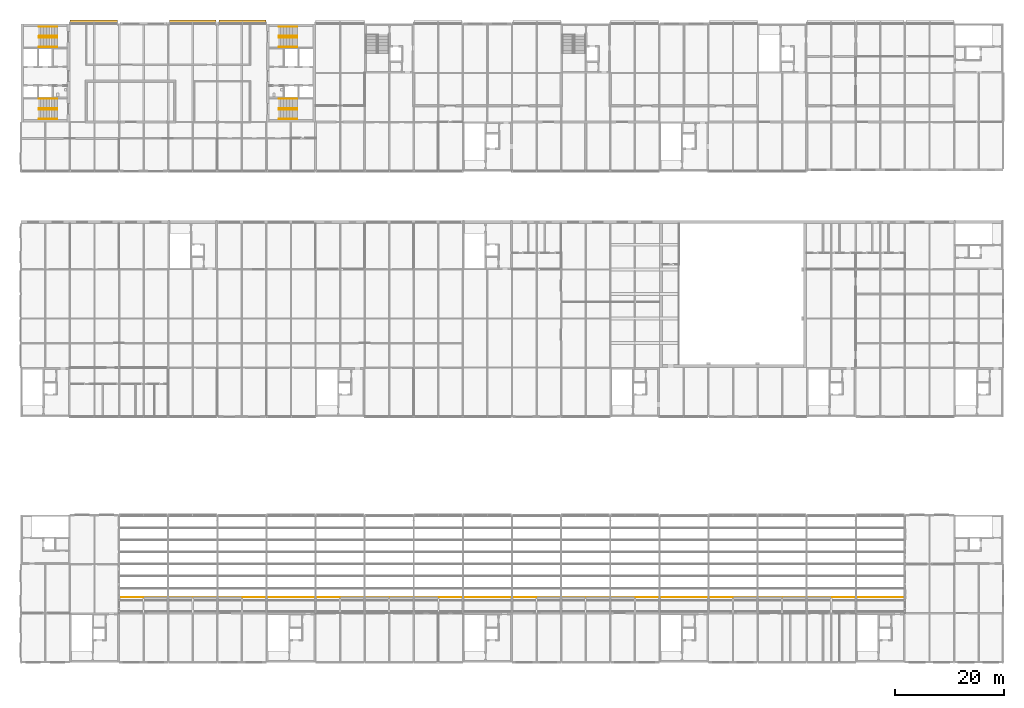
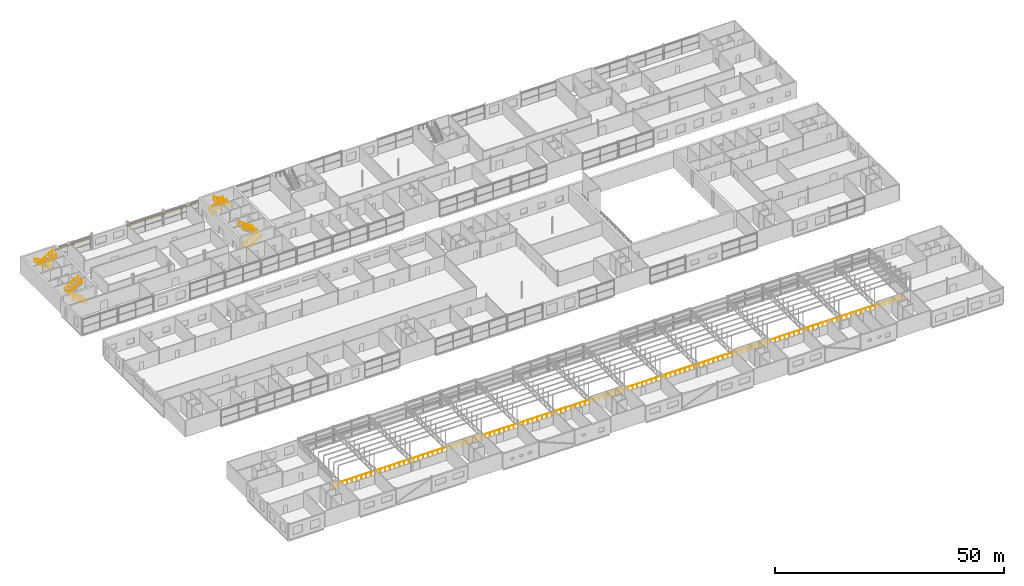
# One storey, part 136 of 138: 17 railings, 3 shading devices.
"""IFC4 building model written with IfcOpenShell, lengths in metres."""

from ifc_helpers import new_model, si_unit, direction, frame, origin, origin_2d, place, context, subcontext, project, spatial, rectangle, circle, extrude, material, layer, layer_set, type_object, element, save


model = new_model("IFC4")

# Units and contexts
model_context = context("Model", 3, precision=1e-05, world=origin(), true_north=direction((0.0, 1.0)))
body_context = subcontext(model_context, "Body", "Model", "MODEL_VIEW")
ifc_project = project(units=[si_unit("LENGTHUNIT", "METRE"), si_unit("AREAUNIT", "SQUARE_METRE"), si_unit("VOLUMEUNIT", "CUBIC_METRE"), si_unit("PLANEANGLEUNIT", "RADIAN"), si_unit("MASSUNIT", "GRAM", prefix="KILO")], contexts=[model_context])

# Site, building, storey
site_placement = place(None, origin())
site = spatial("IfcSite", under=ifc_project, at=site_placement, CompositionType="ELEMENT")
building_placement = place(site_placement, origin())
building = spatial("IfcBuilding", under=site, at=building_placement, Name="Corbel Yard City Hall", CompositionType="ELEMENT")
storey_placement = place(building_placement, frame((0.0, 0.0, 10.5)))
storey = spatial("IfcBuildingStorey", under=building, at=storey_placement, Name="L02", CompositionType="ELEMENT", Elevation=10.5)

# Railings
ifc_material_1 = material(Name="Stainless steel Grade 316", Category="steel")
railing_type_1 = type_object("IfcRailingType", Name="GR1", PredefinedType="GUARDRAIL", material=ifc_material_1)
railing_placement = place(storey_placement, frame((18.14990234375, 11.949951171875, 0.0)))
element("IfcRailing", 1, at=railing_placement, inside=storey, type_object=railing_type_1, Name="Gallery guard", PredefinedType="GUARDRAIL", context=body_context, shape_type="SweptSolid", body=[
    extrude(circle(Radius=0.02392578125, at=origin_2d()), frame((0.0, 0.0, 1.076171875), z_axis=(1.0, 0.0, 0.0), x_axis=(0.0, 1.0, 0.0)), (0.0, 0.0, 1.0), 143.7001953125),
    extrude(circle(Radius=0.02099609375, at=origin_2d()), origin(), (0.0, 0.0, 1.0), 1.052001953125),
    extrude(circle(Radius=0.02099609375, at=origin_2d()), frame((1.197509765625, 0.0, 0.0)), (0.0, 0.0, 1.0), 1.052001953125),
    extrude(circle(Radius=0.02099609375, at=origin_2d()), frame((2.39501953125, 0.0, 0.0)), (0.0, 0.0, 1.0), 1.052001953125),
    extrude(circle(Radius=0.02099609375, at=origin_2d()), frame((3.592529296875, 0.0, 0.0)), (0.0, 0.0, 1.0), 1.052001953125),
    extrude(circle(Radius=0.02099609375, at=origin_2d()), frame((4.7900390625, 0.0, 0.0)), (0.0, 0.0, 1.0), 1.052001953125),
    extrude(circle(Radius=0.02099609375, at=origin_2d()), frame((5.987548828125, 0.0, 0.0)), (0.0, 0.0, 1.0), 1.052001953125),
    extrude(circle(Radius=0.02099609375, at=origin_2d()), frame((7.18505859375, 0.0, 0.0)), (0.0, 0.0, 1.0), 1.052001953125),
    extrude(circle(Radius=0.02099609375, at=origin_2d()), frame((8.382568359375, 0.0, 0.0)), (0.0, 0.0, 1.0), 1.052001953125),
    extrude(circle(Radius=0.02099609375, at=origin_2d()), frame((9.580078125, 0.0, 0.0)), (0.0, 0.0, 1.0), 1.052001953125),
    extrude(circle(Radius=0.02099609375, at=origin_2d()), frame((10.777587890625, 0.0, 0.0)), (0.0, 0.0, 1.0), 1.052001953125),
    extrude(circle(Radius=0.02099609375, at=origin_2d()), frame((11.97509765625, 0.0, 0.0)), (0.0, 0.0, 1.0), 1.052001953125),
    extrude(circle(Radius=0.02099609375, at=origin_2d()), frame((13.172607421875, 0.0, 0.0)), (0.0, 0.0, 1.0), 1.052001953125),
    extrude(circle(Radius=0.02099609375, at=origin_2d()), frame((14.3701171875, 0.0, 0.0)), (0.0, 0.0, 1.0), 1.052001953125),
    extrude(circle(Radius=0.02099609375, at=origin_2d()), frame((15.567626953125, 0.0, 0.0)), (0.0, 0.0, 1.0), 1.052001953125),
    extrude(circle(Radius=0.02099609375, at=origin_2d()), frame((16.76513671875, 0.0, 0.0)), (0.0, 0.0, 1.0), 1.052001953125),
    extrude(circle(Radius=0.02099609375, at=origin_2d()), frame((17.96240234375, 0.0, 0.0)), (0.0, 0.0, 1.0), 1.052001953125),
    extrude(circle(Radius=0.02099609375, at=origin_2d()), frame((19.159912109375, 0.0, 0.0)), (0.0, 0.0, 1.0), 1.052001953125),
    extrude(circle(Radius=0.02099609375, at=origin_2d()), frame((20.357421875, 0.0, 0.0)), (0.0, 0.0, 1.0), 1.052001953125),
    extrude(circle(Radius=0.02099609375, at=origin_2d()), frame((21.554931640625, 0.0, 0.0)), (0.0, 0.0, 1.0), 1.052001953125),
    extrude(circle(Radius=0.02099609375, at=origin_2d()), frame((22.75244140625, 0.0, 0.0)), (0.0, 0.0, 1.0), 1.052001953125),
    extrude(circle(Radius=0.02099609375, at=origin_2d()), frame((23.949951171875, 0.0, 0.0)), (0.0, 0.0, 1.0), 1.052001953125),
    extrude(circle(Radius=0.02099609375, at=origin_2d()), frame((25.1474609375, 0.0, 0.0)), (0.0, 0.0, 1.0), 1.052001953125),
    extrude(circle(Radius=0.02099609375, at=origin_2d()), frame((26.344970703125, 0.0, 0.0)), (0.0, 0.0, 1.0), 1.052001953125),
    extrude(circle(Radius=0.02099609375, at=origin_2d()), frame((27.54248046875, 0.0, 0.0)), (0.0, 0.0, 1.0), 1.052001953125),
    extrude(circle(Radius=0.02099609375, at=origin_2d()), frame((28.739990234375, 0.0, 0.0)), (0.0, 0.0, 1.0), 1.052001953125),
    extrude(circle(Radius=0.02099609375, at=origin_2d()), frame((29.9375, 0.0, 0.0)), (0.0, 0.0, 1.0), 1.052001953125),
    extrude(circle(Radius=0.02099609375, at=origin_2d()), frame((31.135009765625, 0.0, 0.0)), (0.0, 0.0, 1.0), 1.052001953125),
    extrude(circle(Radius=0.02099609375, at=origin_2d()), frame((32.33251953125, 0.0, 0.0)), (0.0, 0.0, 1.0), 1.052001953125),
    extrude(circle(Radius=0.02099609375, at=origin_2d()), frame((33.530029296875, 0.0, 0.0)), (0.0, 0.0, 1.0), 1.052001953125),
    extrude(circle(Radius=0.02099609375, at=origin_2d()), frame((34.7275390625, 0.0, 0.0)), (0.0, 0.0, 1.0), 1.052001953125),
    extrude(circle(Radius=0.02099609375, at=origin_2d()), frame((35.925048828125, 0.0, 0.0)), (0.0, 0.0, 1.0), 1.052001953125),
    extrude(circle(Radius=0.02099609375, at=origin_2d()), frame((37.12255859375, 0.0, 0.0)), (0.0, 0.0, 1.0), 1.052001953125),
    extrude(circle(Radius=0.02099609375, at=origin_2d()), frame((38.320068359375, 0.0, 0.0)), (0.0, 0.0, 1.0), 1.052001953125),
    extrude(circle(Radius=0.02099609375, at=origin_2d()), frame((39.517578125, 0.0, 0.0)), (0.0, 0.0, 1.0), 1.052001953125),
    extrude(circle(Radius=0.02099609375, at=origin_2d()), frame((40.715087890625, 0.0, 0.0)), (0.0, 0.0, 1.0), 1.052001953125),
    extrude(circle(Radius=0.02099609375, at=origin_2d()), frame((41.91259765625, 0.0, 0.0)), (0.0, 0.0, 1.0), 1.052001953125),
    extrude(circle(Radius=0.02099609375, at=origin_2d()), frame((43.110107421875, 0.0, 0.0)), (0.0, 0.0, 1.0), 1.052001953125),
    extrude(circle(Radius=0.02099609375, at=origin_2d()), frame((44.3076171875, 0.0, 0.0)), (0.0, 0.0, 1.0), 1.052001953125),
    extrude(circle(Radius=0.02099609375, at=origin_2d()), frame((45.505126953125, 0.0, 0.0)), (0.0, 0.0, 1.0), 1.052001953125),
    extrude(circle(Radius=0.02099609375, at=origin_2d()), frame((46.70263671875, 0.0, 0.0)), (0.0, 0.0, 1.0), 1.052001953125),
    extrude(circle(Radius=0.02099609375, at=origin_2d()), frame((47.900146484375, 0.0, 0.0)), (0.0, 0.0, 1.0), 1.052001953125),
    extrude(circle(Radius=0.02099609375, at=origin_2d()), frame((49.09765625, 0.0, 0.0)), (0.0, 0.0, 1.0), 1.052001953125),
    extrude(circle(Radius=0.02099609375, at=origin_2d()), frame((50.295166015625, 0.0, 0.0)), (0.0, 0.0, 1.0), 1.052001953125),
    extrude(circle(Radius=0.02099609375, at=origin_2d()), frame((51.49267578125, 0.0, 0.0)), (0.0, 0.0, 1.0), 1.052001953125),
    extrude(circle(Radius=0.02099609375, at=origin_2d()), frame((52.690185546875, 0.0, 0.0)), (0.0, 0.0, 1.0), 1.052001953125),
    extrude(circle(Radius=0.02099609375, at=origin_2d()), frame((53.8876953125, 0.0, 0.0)), (0.0, 0.0, 1.0), 1.052001953125),
    extrude(circle(Radius=0.02099609375, at=origin_2d()), frame((55.0849609375, 0.0, 0.0)), (0.0, 0.0, 1.0), 1.052001953125),
    extrude(circle(Radius=0.02099609375, at=origin_2d()), frame((56.282470703125, 0.0, 0.0)), (0.0, 0.0, 1.0), 1.052001953125),
    extrude(circle(Radius=0.02099609375, at=origin_2d()), frame((57.47998046875, 0.0, 0.0)), (0.0, 0.0, 1.0), 1.052001953125),
    extrude(circle(Radius=0.02099609375, at=origin_2d()), frame((58.677490234375, 0.0, 0.0)), (0.0, 0.0, 1.0), 1.052001953125),
    extrude(circle(Radius=0.02099609375, at=origin_2d()), frame((59.875, 0.0, 0.0)), (0.0, 0.0, 1.0), 1.052001953125),
    extrude(circle(Radius=0.02099609375, at=origin_2d()), frame((61.072509765625, 0.0, 0.0)), (0.0, 0.0, 1.0), 1.052001953125),
    extrude(circle(Radius=0.02099609375, at=origin_2d()), frame((62.27001953125, 0.0, 0.0)), (0.0, 0.0, 1.0), 1.052001953125),
    extrude(circle(Radius=0.02099609375, at=origin_2d()), frame((63.467529296875, 0.0, 0.0)), (0.0, 0.0, 1.0), 1.052001953125),
    extrude(circle(Radius=0.02099609375, at=origin_2d()), frame((64.6650390625, 0.0, 0.0)), (0.0, 0.0, 1.0), 1.052001953125),
    extrude(circle(Radius=0.02099609375, at=origin_2d()), frame((65.862548828125, 0.0, 0.0)), (0.0, 0.0, 1.0), 1.052001953125),
    extrude(circle(Radius=0.02099609375, at=origin_2d()), frame((67.06005859375, 0.0, 0.0)), (0.0, 0.0, 1.0), 1.052001953125),
    extrude(circle(Radius=0.02099609375, at=origin_2d()), frame((68.257568359375, 0.0, 0.0)), (0.0, 0.0, 1.0), 1.052001953125),
    extrude(circle(Radius=0.02099609375, at=origin_2d()), frame((69.455078125, 0.0, 0.0)), (0.0, 0.0, 1.0), 1.052001953125),
    extrude(circle(Radius=0.02099609375, at=origin_2d()), frame((70.652587890625, 0.0, 0.0)), (0.0, 0.0, 1.0), 1.052001953125),
    extrude(circle(Radius=0.02099609375, at=origin_2d()), frame((71.85009765625, 0.0, 0.0)), (0.0, 0.0, 1.0), 1.052001953125),
    extrude(circle(Radius=0.02099609375, at=origin_2d()), frame((73.047607421875, 0.0, 0.0)), (0.0, 0.0, 1.0), 1.052001953125),
    extrude(circle(Radius=0.02099609375, at=origin_2d()), frame((74.2451171875, 0.0, 0.0)), (0.0, 0.0, 1.0), 1.052001953125),
    extrude(circle(Radius=0.02099609375, at=origin_2d()), frame((75.442626953125, 0.0, 0.0)), (0.0, 0.0, 1.0), 1.052001953125),
    extrude(circle(Radius=0.02099609375, at=origin_2d()), frame((76.64013671875, 0.0, 0.0)), (0.0, 0.0, 1.0), 1.052001953125),
    extrude(circle(Radius=0.02099609375, at=origin_2d()), frame((77.837646484375, 0.0, 0.0)), (0.0, 0.0, 1.0), 1.052001953125),
    extrude(circle(Radius=0.02099609375, at=origin_2d()), frame((79.03515625, 0.0, 0.0)), (0.0, 0.0, 1.0), 1.052001953125),
    extrude(circle(Radius=0.02099609375, at=origin_2d()), frame((80.232666015625, 0.0, 0.0)), (0.0, 0.0, 1.0), 1.052001953125),
    extrude(circle(Radius=0.02099609375, at=origin_2d()), frame((81.43017578125, 0.0, 0.0)), (0.0, 0.0, 1.0), 1.052001953125),
    extrude(circle(Radius=0.02099609375, at=origin_2d()), frame((82.627685546875, 0.0, 0.0)), (0.0, 0.0, 1.0), 1.052001953125),
    extrude(circle(Radius=0.02099609375, at=origin_2d()), frame((83.8251953125, 0.0, 0.0)), (0.0, 0.0, 1.0), 1.052001953125),
    extrude(circle(Radius=0.02099609375, at=origin_2d()), frame((85.022705078125, 0.0, 0.0)), (0.0, 0.0, 1.0), 1.052001953125),
    extrude(circle(Radius=0.02099609375, at=origin_2d()), frame((86.22021484375, 0.0, 0.0)), (0.0, 0.0, 1.0), 1.052001953125),
    extrude(circle(Radius=0.02099609375, at=origin_2d()), frame((87.417724609375, 0.0, 0.0)), (0.0, 0.0, 1.0), 1.052001953125),
    extrude(circle(Radius=0.02099609375, at=origin_2d()), frame((88.615234375, 0.0, 0.0)), (0.0, 0.0, 1.0), 1.052001953125),
    extrude(circle(Radius=0.02099609375, at=origin_2d()), frame((89.8125, 0.0, 0.0)), (0.0, 0.0, 1.0), 1.052001953125),
    extrude(circle(Radius=0.02099609375, at=origin_2d()), frame((91.010009765625, 0.0, 0.0)), (0.0, 0.0, 1.0), 1.052001953125),
    extrude(circle(Radius=0.02099609375, at=origin_2d()), frame((92.20751953125, 0.0, 0.0)), (0.0, 0.0, 1.0), 1.052001953125),
    extrude(circle(Radius=0.02099609375, at=origin_2d()), frame((93.405029296875, 0.0, 0.0)), (0.0, 0.0, 1.0), 1.052001953125),
    extrude(circle(Radius=0.02099609375, at=origin_2d()), frame((94.6025390625, 0.0, 0.0)), (0.0, 0.0, 1.0), 1.052001953125),
    extrude(circle(Radius=0.02099609375, at=origin_2d()), frame((95.800048828125, 0.0, 0.0)), (0.0, 0.0, 1.0), 1.052001953125),
    extrude(circle(Radius=0.02099609375, at=origin_2d()), frame((96.99755859375, 0.0, 0.0)), (0.0, 0.0, 1.0), 1.052001953125),
    extrude(circle(Radius=0.02099609375, at=origin_2d()), frame((98.195068359375, 0.0, 0.0)), (0.0, 0.0, 1.0), 1.052001953125),
    extrude(circle(Radius=0.02099609375, at=origin_2d()), frame((99.392578125, 0.0, 0.0)), (0.0, 0.0, 1.0), 1.052001953125),
    extrude(circle(Radius=0.02099609375, at=origin_2d()), frame((100.590087890625, 0.0, 0.0)), (0.0, 0.0, 1.0), 1.052001953125),
    extrude(circle(Radius=0.02099609375, at=origin_2d()), frame((101.78759765625, 0.0, 0.0)), (0.0, 0.0, 1.0), 1.052001953125),
    extrude(circle(Radius=0.02099609375, at=origin_2d()), frame((102.985107421875, 0.0, 0.0)), (0.0, 0.0, 1.0), 1.052001953125),
    extrude(circle(Radius=0.02099609375, at=origin_2d()), frame((104.1826171875, 0.0, 0.0)), (0.0, 0.0, 1.0), 1.052001953125),
    extrude(circle(Radius=0.02099609375, at=origin_2d()), frame((105.380126953125, 0.0, 0.0)), (0.0, 0.0, 1.0), 1.052001953125),
    extrude(circle(Radius=0.02099609375, at=origin_2d()), frame((106.57763671875, 0.0, 0.0)), (0.0, 0.0, 1.0), 1.052001953125),
    extrude(circle(Radius=0.02099609375, at=origin_2d()), frame((107.775146484375, 0.0, 0.0)), (0.0, 0.0, 1.0), 1.052001953125),
    extrude(circle(Radius=0.02099609375, at=origin_2d()), frame((108.97265625, 0.0, 0.0)), (0.0, 0.0, 1.0), 1.052001953125),
    extrude(circle(Radius=0.02099609375, at=origin_2d()), frame((110.170166015625, 0.0, 0.0)), (0.0, 0.0, 1.0), 1.052001953125),
    extrude(circle(Radius=0.02099609375, at=origin_2d()), frame((111.36767578125, 0.0, 0.0)), (0.0, 0.0, 1.0), 1.052001953125),
    extrude(circle(Radius=0.02099609375, at=origin_2d()), frame((112.565185546875, 0.0, 0.0)), (0.0, 0.0, 1.0), 1.052001953125),
    extrude(circle(Radius=0.02099609375, at=origin_2d()), frame((113.7626953125, 0.0, 0.0)), (0.0, 0.0, 1.0), 1.052001953125),
    extrude(circle(Radius=0.02099609375, at=origin_2d()), frame((114.960205078125, 0.0, 0.0)), (0.0, 0.0, 1.0), 1.052001953125),
    extrude(circle(Radius=0.02099609375, at=origin_2d()), frame((116.15771484375, 0.0, 0.0)), (0.0, 0.0, 1.0), 1.052001953125),
    extrude(circle(Radius=0.02099609375, at=origin_2d()), frame((117.355224609375, 0.0, 0.0)), (0.0, 0.0, 1.0), 1.052001953125),
    extrude(circle(Radius=0.02099609375, at=origin_2d()), frame((118.552734375, 0.0, 0.0)), (0.0, 0.0, 1.0), 1.052001953125),
    extrude(circle(Radius=0.02099609375, at=origin_2d()), frame((119.750244140625, 0.0, 0.0)), (0.0, 0.0, 1.0), 1.052001953125),
    extrude(circle(Radius=0.02099609375, at=origin_2d()), frame((120.94775390625, 0.0, 0.0)), (0.0, 0.0, 1.0), 1.052001953125),
    extrude(circle(Radius=0.02099609375, at=origin_2d()), frame((122.145263671875, 0.0, 0.0)), (0.0, 0.0, 1.0), 1.052001953125),
    extrude(circle(Radius=0.02099609375, at=origin_2d()), frame((123.3427734375, 0.0, 0.0)), (0.0, 0.0, 1.0), 1.052001953125),
    extrude(circle(Radius=0.02099609375, at=origin_2d()), frame((124.540283203125, 0.0, 0.0)), (0.0, 0.0, 1.0), 1.052001953125),
    extrude(circle(Radius=0.02099609375, at=origin_2d()), frame((125.73779296875, 0.0, 0.0)), (0.0, 0.0, 1.0), 1.052001953125),
    extrude(circle(Radius=0.02099609375, at=origin_2d()), frame((126.93505859375, 0.0, 0.0)), (0.0, 0.0, 1.0), 1.052001953125),
    extrude(circle(Radius=0.02099609375, at=origin_2d()), frame((128.132568359375, 0.0, 0.0)), (0.0, 0.0, 1.0), 1.052001953125),
    extrude(circle(Radius=0.02099609375, at=origin_2d()), frame((129.330078125, 0.0, 0.0)), (0.0, 0.0, 1.0), 1.052001953125),
    extrude(circle(Radius=0.02099609375, at=origin_2d()), frame((130.527587890625, 0.0, 0.0)), (0.0, 0.0, 1.0), 1.052001953125),
    extrude(circle(Radius=0.02099609375, at=origin_2d()), frame((131.72509765625, 0.0, 0.0)), (0.0, 0.0, 1.0), 1.052001953125),
    extrude(circle(Radius=0.02099609375, at=origin_2d()), frame((132.922607421875, 0.0, 0.0)), (0.0, 0.0, 1.0), 1.052001953125),
    extrude(circle(Radius=0.02099609375, at=origin_2d()), frame((134.1201171875, 0.0, 0.0)), (0.0, 0.0, 1.0), 1.052001953125),
    extrude(circle(Radius=0.02099609375, at=origin_2d()), frame((135.317626953125, 0.0, 0.0)), (0.0, 0.0, 1.0), 1.052001953125),
    extrude(circle(Radius=0.02099609375, at=origin_2d()), frame((136.51513671875, 0.0, 0.0)), (0.0, 0.0, 1.0), 1.052001953125),
    extrude(circle(Radius=0.02099609375, at=origin_2d()), frame((137.712646484375, 0.0, 0.0)), (0.0, 0.0, 1.0), 1.052001953125),
    extrude(circle(Radius=0.02099609375, at=origin_2d()), frame((138.91015625, 0.0, 0.0)), (0.0, 0.0, 1.0), 1.052001953125),
    extrude(circle(Radius=0.02099609375, at=origin_2d()), frame((140.107666015625, 0.0, 0.0)), (0.0, 0.0, 1.0), 1.052001953125),
    extrude(circle(Radius=0.02099609375, at=origin_2d()), frame((141.30517578125, 0.0, 0.0)), (0.0, 0.0, 1.0), 1.052001953125),
    extrude(circle(Radius=0.02099609375, at=origin_2d()), frame((142.502685546875, 0.0, 0.0)), (0.0, 0.0, 1.0), 1.052001953125),
    extrude(circle(Radius=0.02099609375, at=origin_2d()), frame((143.7001953125, 0.0, 0.0)), (0.0, 0.0, 1.0), 1.052001953125),
])
railing_type_2 = type_object("IfcRailingType", Name="HR1", PredefinedType="HANDRAIL", material=ifc_material_1)
for number, where, name in (
    (2, (6.699951171875, 99.550048828125, 0.173095703125), "Exit stair ST-W1 handrail"),
    (3, (6.699951171875, 101.25, 0.173095703125), "Exit stair ST-W1 handrail"),
):
    element("IfcRailing", number, at=place(storey_placement, frame(where)), inside=storey, type_object=railing_type_2, Name=name, PredefinedType="HANDRAIL", context=body_context, shape_type="SweptSolid", body=[
        extrude(circle(Radius=0.02392578125, at=origin_2d()), frame((0.0, 0.0, 0.8759765625), z_axis=(-0.850606129759, 0.0, 0.525803396734), x_axis=(0.0, -1.0, 0.0)), (0.0, 0.0, 1.0), 3.949951171875),
        extrude(circle(Radius=0.02099609375, at=origin_2d()), origin(), (0.0, 0.0, 1.0), 0.851806640625),
        extrude(circle(Radius=0.02099609375, at=origin_2d()), frame((-0.83984375, 0.0, 0.519287109375)), (0.0, 0.0, 1.0), 0.851806640625),
        extrude(circle(Radius=0.02099609375, at=origin_2d()), frame((-1.679931640625, 0.0, 1.03857421875)), (0.0, 0.0, 1.0), 0.851806640625),
        extrude(circle(Radius=0.02099609375, at=origin_2d()), frame((-2.52001953125, 0.0, 1.5576171875)), (0.0, 0.0, 1.0), 0.851806640625),
        extrude(circle(Radius=0.02099609375, at=origin_2d()), frame((-3.35986328125, 0.0, 2.076904296875)), (0.0, 0.0, 1.0), 0.851806640625),
    ])
for number, where, name in (
    (4, (3.340087890625, 101.550048828125, 2.423095703125), "Exit stair ST-W1 handrail"),
    (5, (3.340087890625, 103.25, 2.423095703125), "Exit stair ST-W1 handrail"),
):
    element("IfcRailing", number, at=place(storey_placement, frame(where)), inside=storey, type_object=railing_type_2, Name=name, PredefinedType="HANDRAIL", context=body_context, shape_type="SweptSolid", body=[
        extrude(circle(Radius=0.02392578125, at=origin_2d()), frame((0.0, 0.0, 0.8759765625), z_axis=(0.850606129759, 0.0, 0.525803396734), x_axis=(0.0, 1.0, 0.0)), (0.0, 0.0, 1.0), 3.949951171875),
        extrude(circle(Radius=0.02099609375, at=origin_2d()), origin(), (0.0, 0.0, 1.0), 0.851806640625),
        extrude(circle(Radius=0.02099609375, at=origin_2d()), frame((0.83984375, 0.0, 0.519287109375)), (0.0, 0.0, 1.0), 0.851806640625),
        extrude(circle(Radius=0.02099609375, at=origin_2d()), frame((1.679931640625, 0.0, 1.03857421875)), (0.0, 0.0, 1.0), 0.851806640625),
        extrude(circle(Radius=0.02099609375, at=origin_2d()), frame((2.52001953125, 0.0, 1.5576171875)), (0.0, 0.0, 1.0), 0.851806640625),
        extrude(circle(Radius=0.02099609375, at=origin_2d()), frame((3.35986328125, 0.0, 2.076904296875)), (0.0, 0.0, 1.0), 0.851806640625),
    ])
for number, where, name in (
    (6, (6.699951171875, 116.449951171875, 0.173095703125), "Exit stair ST-W2 handrail"),
    (7, (6.699951171875, 114.75, 0.173095703125), "Exit stair ST-W2 handrail"),
):
    element("IfcRailing", number, at=place(storey_placement, frame(where)), inside=storey, type_object=railing_type_2, Name=name, PredefinedType="HANDRAIL", context=body_context, shape_type="SweptSolid", body=[
        extrude(circle(Radius=0.02392578125, at=origin_2d()), frame((0.0, 0.0, 0.8759765625), z_axis=(-0.850606129759, 0.0, 0.525803396734), x_axis=(0.0, -1.0, 0.0)), (0.0, 0.0, 1.0), 3.949951171875),
        extrude(circle(Radius=0.02099609375, at=origin_2d()), origin(), (0.0, 0.0, 1.0), 0.851806640625),
        extrude(circle(Radius=0.02099609375, at=origin_2d()), frame((-0.83984375, 0.0, 0.519287109375)), (0.0, 0.0, 1.0), 0.851806640625),
        extrude(circle(Radius=0.02099609375, at=origin_2d()), frame((-1.679931640625, 0.0, 1.03857421875)), (0.0, 0.0, 1.0), 0.851806640625),
        extrude(circle(Radius=0.02099609375, at=origin_2d()), frame((-2.52001953125, 0.0, 1.5576171875)), (0.0, 0.0, 1.0), 0.851806640625),
        extrude(circle(Radius=0.02099609375, at=origin_2d()), frame((-3.35986328125, 0.0, 2.076904296875)), (0.0, 0.0, 1.0), 0.851806640625),
    ])
for number, where, name in (
    (8, (3.340087890625, 114.449951171875, 2.423095703125), "Exit stair ST-W2 handrail"),
    (9, (3.340087890625, 112.75, 2.423095703125), "Exit stair ST-W2 handrail"),
    (10, (47.300048828125, 99.550048828125, 0.173095703125), "Exit stair ST-E1 handrail"),
    (11, (47.300048828125, 101.25, 0.173095703125), "Exit stair ST-E1 handrail"),
):
    element("IfcRailing", number, at=place(storey_placement, frame(where)), inside=storey, type_object=railing_type_2, Name=name, PredefinedType="HANDRAIL", context=body_context, shape_type="SweptSolid", body=[
        extrude(circle(Radius=0.02392578125, at=origin_2d()), frame((0.0, 0.0, 0.8759765625), z_axis=(0.850606129759, 0.0, 0.525803396734), x_axis=(0.0, 1.0, 0.0)), (0.0, 0.0, 1.0), 3.949951171875),
        extrude(circle(Radius=0.02099609375, at=origin_2d()), origin(), (0.0, 0.0, 1.0), 0.851806640625),
        extrude(circle(Radius=0.02099609375, at=origin_2d()), frame((0.83984375, 0.0, 0.519287109375)), (0.0, 0.0, 1.0), 0.851806640625),
        extrude(circle(Radius=0.02099609375, at=origin_2d()), frame((1.679931640625, 0.0, 1.03857421875)), (0.0, 0.0, 1.0), 0.851806640625),
        extrude(circle(Radius=0.02099609375, at=origin_2d()), frame((2.52001953125, 0.0, 1.5576171875)), (0.0, 0.0, 1.0), 0.851806640625),
        extrude(circle(Radius=0.02099609375, at=origin_2d()), frame((3.35986328125, 0.0, 2.076904296875)), (0.0, 0.0, 1.0), 0.851806640625),
    ])
for number, where, name in (
    (12, (50.659912109375, 101.550048828125, 2.423095703125), "Exit stair ST-E1 handrail"),
    (13, (50.659912109375, 103.25, 2.423095703125), "Exit stair ST-E1 handrail"),
):
    element("IfcRailing", number, at=place(storey_placement, frame(where)), inside=storey, type_object=railing_type_2, Name=name, PredefinedType="HANDRAIL", context=body_context, shape_type="SweptSolid", body=[
        extrude(circle(Radius=0.02392578125, at=origin_2d()), frame((0.0, 0.0, 0.8759765625), z_axis=(-0.850606129759, 0.0, 0.525803396734), x_axis=(0.0, -1.0, 0.0)), (0.0, 0.0, 1.0), 3.949951171875),
        extrude(circle(Radius=0.02099609375, at=origin_2d()), origin(), (0.0, 0.0, 1.0), 0.851806640625),
        extrude(circle(Radius=0.02099609375, at=origin_2d()), frame((-0.83984375, 0.0, 0.519287109375)), (0.0, 0.0, 1.0), 0.851806640625),
        extrude(circle(Radius=0.02099609375, at=origin_2d()), frame((-1.679931640625, 0.0, 1.03857421875)), (0.0, 0.0, 1.0), 0.851806640625),
        extrude(circle(Radius=0.02099609375, at=origin_2d()), frame((-2.52001953125, 0.0, 1.5576171875)), (0.0, 0.0, 1.0), 0.851806640625),
        extrude(circle(Radius=0.02099609375, at=origin_2d()), frame((-3.35986328125, 0.0, 2.076904296875)), (0.0, 0.0, 1.0), 0.851806640625),
    ])
for number, where, name in (
    (14, (47.300048828125, 116.449951171875, 0.173095703125), "Exit stair ST-E2 handrail"),
    (15, (47.300048828125, 114.75, 0.173095703125), "Exit stair ST-E2 handrail"),
):
    element("IfcRailing", number, at=place(storey_placement, frame(where)), inside=storey, type_object=railing_type_2, Name=name, PredefinedType="HANDRAIL", context=body_context, shape_type="SweptSolid", body=[
        extrude(circle(Radius=0.02392578125, at=origin_2d()), frame((0.0, 0.0, 0.8759765625), z_axis=(0.850606129759, 0.0, 0.525803396734), x_axis=(0.0, 1.0, 0.0)), (0.0, 0.0, 1.0), 3.949951171875),
        extrude(circle(Radius=0.02099609375, at=origin_2d()), origin(), (0.0, 0.0, 1.0), 0.851806640625),
        extrude(circle(Radius=0.02099609375, at=origin_2d()), frame((0.83984375, 0.0, 0.519287109375)), (0.0, 0.0, 1.0), 0.851806640625),
        extrude(circle(Radius=0.02099609375, at=origin_2d()), frame((1.679931640625, 0.0, 1.03857421875)), (0.0, 0.0, 1.0), 0.851806640625),
        extrude(circle(Radius=0.02099609375, at=origin_2d()), frame((2.52001953125, 0.0, 1.5576171875)), (0.0, 0.0, 1.0), 0.851806640625),
        extrude(circle(Radius=0.02099609375, at=origin_2d()), frame((3.35986328125, 0.0, 2.076904296875)), (0.0, 0.0, 1.0), 0.851806640625),
    ])
for number, where, name in (
    (16, (50.659912109375, 114.449951171875, 2.423095703125), "Exit stair ST-E2 handrail"),
    (17, (50.659912109375, 112.75, 2.423095703125), "Exit stair ST-E2 handrail"),
):
    element("IfcRailing", number, at=place(storey_placement, frame(where)), inside=storey, type_object=railing_type_2, Name=name, PredefinedType="HANDRAIL", context=body_context, shape_type="SweptSolid", body=[
        extrude(circle(Radius=0.02392578125, at=origin_2d()), frame((0.0, 0.0, 0.8759765625), z_axis=(-0.850606129759, 0.0, 0.525803396734), x_axis=(0.0, -1.0, 0.0)), (0.0, 0.0, 1.0), 3.949951171875),
        extrude(circle(Radius=0.02099609375, at=origin_2d()), origin(), (0.0, 0.0, 1.0), 0.851806640625),
        extrude(circle(Radius=0.02099609375, at=origin_2d()), frame((-0.83984375, 0.0, 0.519287109375)), (0.0, 0.0, 1.0), 0.851806640625),
        extrude(circle(Radius=0.02099609375, at=origin_2d()), frame((-1.679931640625, 0.0, 1.03857421875)), (0.0, 0.0, 1.0), 0.851806640625),
        extrude(circle(Radius=0.02099609375, at=origin_2d()), frame((-2.52001953125, 0.0, 1.5576171875)), (0.0, 0.0, 1.0), 0.851806640625),
        extrude(circle(Radius=0.02099609375, at=origin_2d()), frame((-3.35986328125, 0.0, 2.076904296875)), (0.0, 0.0, 1.0), 0.851806640625),
    ])

# Shading devices
ifc_material_2 = material(Name="Anodised aluminium", Category="aluminium")
ifc_layer = layer(ifc_material_2, 0.050048828125)
ifc_layer_set = layer_set([ifc_layer], Name="Anodised aluminium")
shading_device_type = type_object("IfcShadingDeviceType", Name="LV2", PredefinedType="JALOUSIE", material=ifc_layer_set)
shading_device_1_placement = place(storey_placement, frame((13.3798828125, 117.47509765625, 2.69482421875), z_axis=(0.0, 0.0, 1.0), x_axis=(1.0, 0.0, 0.0)))
element("IfcShadingDevice", 18, at=shading_device_1_placement, inside=storey, type_object=shading_device_type, Name="Louvre blade", PredefinedType="JALOUSIE", context=body_context, shape_type="SweptSolid", body=[
    extrude(rectangle(XDim=8.695068359375, YDim=0.449951171875, at=origin_2d()), origin(), (0.0, 0.0, 1.0), 0.050048828125),
])
shading_device_2_placement = place(storey_placement, frame((31.5, 117.47509765625, 2.69482421875), z_axis=(0.0, 0.0, 1.0), x_axis=(1.0, 0.0, 0.0)))
element("IfcShadingDevice", 19, at=shading_device_2_placement, inside=storey, type_object=shading_device_type, Name="Louvre blade", PredefinedType="JALOUSIE", context=body_context, shape_type="SweptSolid", body=[
    extrude(rectangle(XDim=8.455078125, YDim=0.449951171875, at=origin_2d()), origin(), (0.0, 0.0, 1.0), 0.050048828125),
])
shading_device_3_placement = place(storey_placement, frame((40.6201171875, 117.47509765625, 2.69482421875), z_axis=(0.0, 0.0, 1.0), x_axis=(1.0, 0.0, 0.0)))
element("IfcShadingDevice", 20, at=shading_device_3_placement, inside=storey, type_object=shading_device_type, Name="Louvre blade", PredefinedType="JALOUSIE", context=body_context, shape_type="SweptSolid", body=[
    extrude(rectangle(XDim=8.695068359375, YDim=0.449951171875, at=origin_2d()), origin(), (0.0, 0.0, 1.0), 0.050048828125),
])

save(model, "model.ifc")
